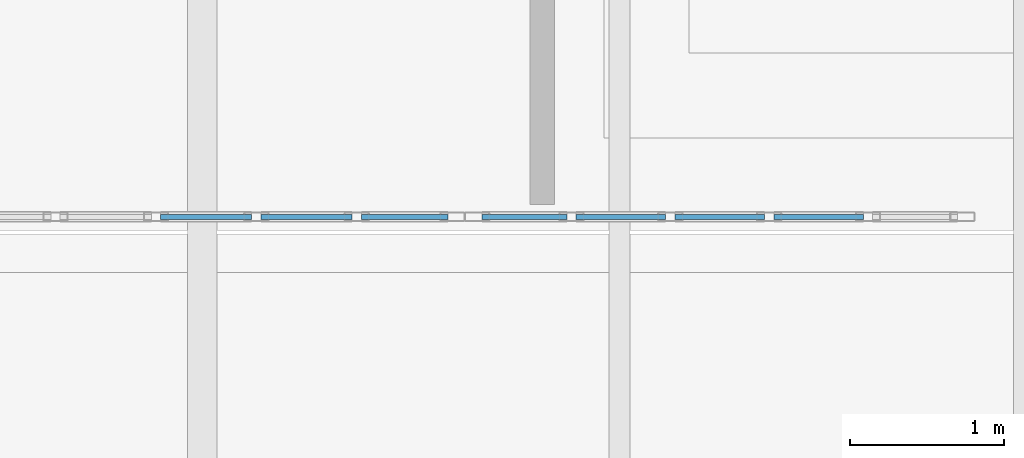
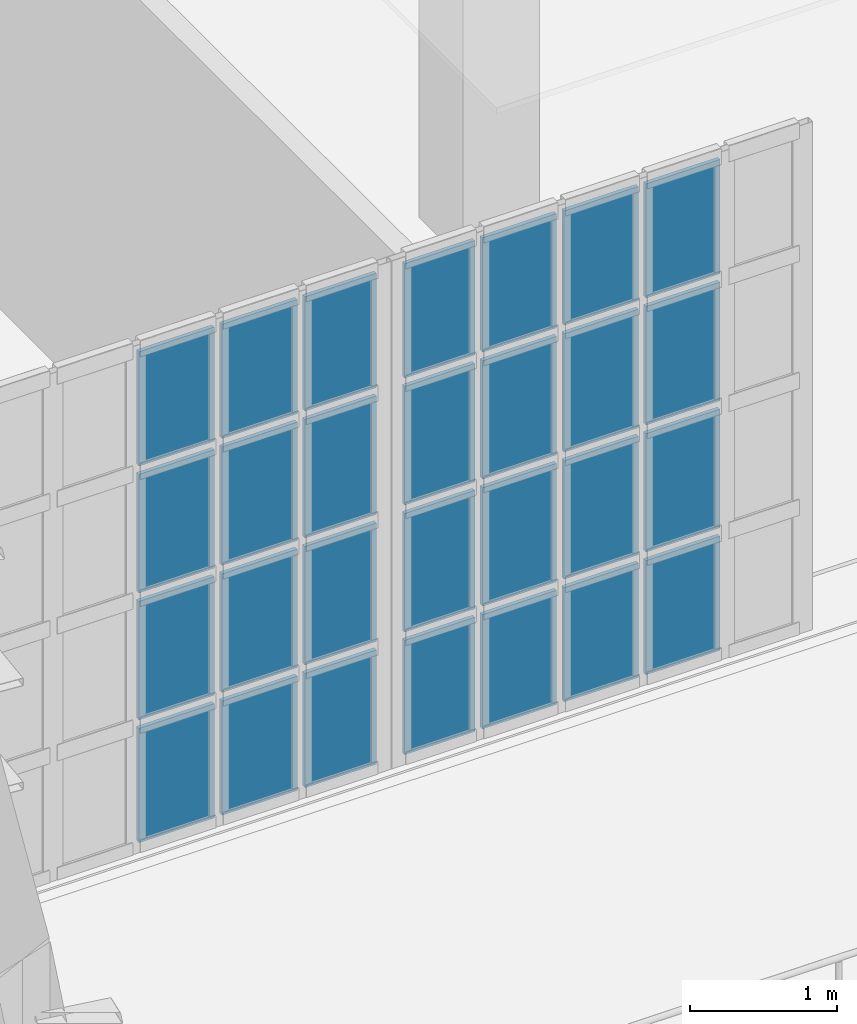
# One storey, part 46 of 73: 28 plates, 2 elements without a shape of their own.
"""IFC4 building model written with IfcOpenShell, lengths in metres."""

from ifc_helpers import new_model, si_unit, direction, frame, origin, origin_2d, place, context, subcontext, project, spatial, rectangle, extrude, material, layer, layer_set, type_object, element, aggregate, save


model = new_model("IFC4")

# Units and contexts
model_context = context("Model", 3, precision=1e-05, world=origin(), true_north=direction((0.0, 1.0)))
body_context = subcontext(model_context, "Body", "Model", "MODEL_VIEW")
ifc_project = project(units=[si_unit("LENGTHUNIT", "METRE"), si_unit("AREAUNIT", "SQUARE_METRE"), si_unit("VOLUMEUNIT", "CUBIC_METRE"), si_unit("PLANEANGLEUNIT", "RADIAN"), si_unit("MASSUNIT", "GRAM", prefix="KILO")], contexts=[model_context])

# Site, building, storey
site_placement = place(None, origin())
site = spatial("IfcSite", under=ifc_project, at=site_placement, CompositionType="ELEMENT")
building_placement = place(site_placement, origin())
building = spatial("IfcBuilding", under=site, at=building_placement, Name="Kaelora Sail Theatre", CompositionType="ELEMENT")
storey_placement = place(building_placement, frame((0.0, 0.0, 10.199951171875)))
storey = spatial("IfcBuildingStorey", under=building, at=storey_placement, Name="L02", CompositionType="ELEMENT", Elevation=10.199951171875)

# Curtain wall, plates
ifc_material_1 = material(Name="Anodised aluminium and solar-control low-E IGU", Category="aluminium")
curtain_wall_type = type_object("IfcCurtainWallType", Name="ARC-CW-CW-BRG", PredefinedType="NOTDEFINED", material=ifc_material_1)
curtain_wall_1_placement = place(storey_placement, origin())
curtain_wall_1 = element("IfcCurtainWall", 1, at=curtain_wall_1_placement, inside=storey, type_object=curtain_wall_type, Name="West Interstitial Sail Foyer Curtain Wall L02-01", PredefinedType="NOTDEFINED")
ifc_material_2 = material(Name="Solar-control laminated low-E glass", Category="glass")
ifc_layer = layer(ifc_material_2, 0.031982421875)
ifc_layer_set = layer_set([ifc_layer], Name="Solar-control laminated low-E glass")
plate_type = type_object("IfcPlateType", Name="ARC-CW-PNL", PredefinedType="CURTAIN_PANEL", material=ifc_layer_set)
plate_1_placement = place(storey_placement, frame((60.925048828125, 48.389892578125, 0.070068359375), z_axis=(0.0, 0.0, 1.0), x_axis=(1.0, 0.0, 0.0)))
plate_1 = element("IfcPlate", 2, at=plate_1_placement, type_object=plate_type, Name="CW-BRG panel 4.1", PredefinedType="CURTAIN_PANEL", context=body_context, shape_type="SweptSolid", body=[
    extrude(rectangle(XDim=0.590087890625, YDim=0.031982421875, at=origin_2d()), origin(), (0.0, 0.0, 1.0), 0.9462890625),
])
plate_2_placement = place(storey_placement, frame((60.925048828125, 48.389892578125, 1.08642578125), z_axis=(0.0, 0.0, 1.0), x_axis=(1.0, 0.0, 0.0)))
plate_2 = element("IfcPlate", 3, at=plate_2_placement, type_object=plate_type, Name="CW-BRG panel 4.2", PredefinedType="CURTAIN_PANEL", context=body_context, shape_type="SweptSolid", body=[
    extrude(rectangle(XDim=0.590087890625, YDim=0.031982421875, at=origin_2d()), origin(), (0.0, 0.0, 1.0), 0.981201171875),
])
plate_3_placement = place(storey_placement, frame((60.925048828125, 48.389892578125, 2.1376953125), z_axis=(0.0, 0.0, 1.0), x_axis=(1.0, 0.0, 0.0)))
plate_3 = element("IfcPlate", 4, at=plate_3_placement, type_object=plate_type, Name="CW-BRG panel 4.3", PredefinedType="CURTAIN_PANEL", context=body_context, shape_type="SweptSolid", body=[
    extrude(rectangle(XDim=0.590087890625, YDim=0.031982421875, at=origin_2d()), origin(), (0.0, 0.0, 1.0), 0.981201171875),
])
plate_4_placement = place(storey_placement, frame((60.925048828125, 48.389892578125, 3.188720703125), z_axis=(0.0, 0.0, 1.0), x_axis=(1.0, 0.0, 0.0)))
plate_4 = element("IfcPlate", 5, at=plate_4_placement, type_object=plate_type, Name="CW-BRG panel 4.4", PredefinedType="CURTAIN_PANEL", context=body_context, shape_type="SweptSolid", body=[
    extrude(rectangle(XDim=0.590087890625, YDim=0.031982421875, at=origin_2d()), origin(), (0.0, 0.0, 1.0), 0.9462890625),
])
plate_5_placement = place(storey_placement, frame((61.574951171875, 48.389892578125, 0.070068359375), z_axis=(0.0, 0.0, 1.0), x_axis=(1.0, 0.0, 0.0)))
plate_5 = element("IfcPlate", 6, at=plate_5_placement, type_object=plate_type, Name="CW-BRG panel 5.1", PredefinedType="CURTAIN_PANEL", context=body_context, shape_type="SweptSolid", body=[
    extrude(rectangle(XDim=0.590087890625, YDim=0.031982421875, at=origin_2d()), origin(), (0.0, 0.0, 1.0), 0.9462890625),
])
plate_6_placement = place(storey_placement, frame((61.574951171875, 48.389892578125, 1.08642578125), z_axis=(0.0, 0.0, 1.0), x_axis=(1.0, 0.0, 0.0)))
plate_6 = element("IfcPlate", 7, at=plate_6_placement, type_object=plate_type, Name="CW-BRG panel 5.2", PredefinedType="CURTAIN_PANEL", context=body_context, shape_type="SweptSolid", body=[
    extrude(rectangle(XDim=0.590087890625, YDim=0.031982421875, at=origin_2d()), origin(), (0.0, 0.0, 1.0), 0.981201171875),
])
plate_7_placement = place(storey_placement, frame((61.574951171875, 48.389892578125, 2.1376953125), z_axis=(0.0, 0.0, 1.0), x_axis=(1.0, 0.0, 0.0)))
plate_7 = element("IfcPlate", 8, at=plate_7_placement, type_object=plate_type, Name="CW-BRG panel 5.3", PredefinedType="CURTAIN_PANEL", context=body_context, shape_type="SweptSolid", body=[
    extrude(rectangle(XDim=0.590087890625, YDim=0.031982421875, at=origin_2d()), origin(), (0.0, 0.0, 1.0), 0.981201171875),
])
plate_8_placement = place(storey_placement, frame((61.574951171875, 48.389892578125, 3.188720703125), z_axis=(0.0, 0.0, 1.0), x_axis=(1.0, 0.0, 0.0)))
plate_8 = element("IfcPlate", 9, at=plate_8_placement, type_object=plate_type, Name="CW-BRG panel 5.4", PredefinedType="CURTAIN_PANEL", context=body_context, shape_type="SweptSolid", body=[
    extrude(rectangle(XDim=0.590087890625, YDim=0.031982421875, at=origin_2d()), origin(), (0.0, 0.0, 1.0), 0.9462890625),
])
plate_9_placement = place(storey_placement, frame((62.2099609375, 48.389892578125, 0.070068359375), z_axis=(0.0, 0.0, 1.0), x_axis=(1.0, 0.0, 0.0)))
plate_9 = element("IfcPlate", 10, at=plate_9_placement, type_object=plate_type, Name="CW-BRG panel 6.1", PredefinedType="CURTAIN_PANEL", context=body_context, shape_type="SweptSolid", body=[
    extrude(rectangle(XDim=0.56005859375, YDim=0.031982421875, at=origin_2d()), origin(), (0.0, 0.0, 1.0), 0.9462890625),
])
plate_10_placement = place(storey_placement, frame((62.2099609375, 48.389892578125, 1.08642578125), z_axis=(0.0, 0.0, 1.0), x_axis=(1.0, 0.0, 0.0)))
plate_10 = element("IfcPlate", 11, at=plate_10_placement, type_object=plate_type, Name="CW-BRG panel 6.2", PredefinedType="CURTAIN_PANEL", context=body_context, shape_type="SweptSolid", body=[
    extrude(rectangle(XDim=0.56005859375, YDim=0.031982421875, at=origin_2d()), origin(), (0.0, 0.0, 1.0), 0.981201171875),
])
plate_11_placement = place(storey_placement, frame((62.2099609375, 48.389892578125, 2.1376953125), z_axis=(0.0, 0.0, 1.0), x_axis=(1.0, 0.0, 0.0)))
plate_11 = element("IfcPlate", 12, at=plate_11_placement, type_object=plate_type, Name="CW-BRG panel 6.3", PredefinedType="CURTAIN_PANEL", context=body_context, shape_type="SweptSolid", body=[
    extrude(rectangle(XDim=0.56005859375, YDim=0.031982421875, at=origin_2d()), origin(), (0.0, 0.0, 1.0), 0.981201171875),
])
plate_12_placement = place(storey_placement, frame((62.2099609375, 48.389892578125, 3.188720703125), z_axis=(0.0, 0.0, 1.0), x_axis=(1.0, 0.0, 0.0)))
plate_12 = element("IfcPlate", 13, at=plate_12_placement, type_object=plate_type, Name="CW-BRG panel 6.4", PredefinedType="CURTAIN_PANEL", context=body_context, shape_type="SweptSolid", body=[
    extrude(rectangle(XDim=0.56005859375, YDim=0.031982421875, at=origin_2d()), origin(), (0.0, 0.0, 1.0), 0.9462890625),
])
aggregate(curtain_wall_1, [plate_1, plate_2, plate_3, plate_4, plate_5, plate_6, plate_7, plate_8, plate_9, plate_10, plate_11, plate_12])

curtain_wall_2_placement = place(storey_placement, origin())
curtain_wall_2 = element("IfcCurtainWall", 14, at=curtain_wall_2_placement, inside=storey, type_object=curtain_wall_type, Name="West Interstitial Sail Foyer Curtain Wall L02-02", PredefinedType="NOTDEFINED")
plate_13_placement = place(storey_placement, frame((62.985107421875, 48.389892578125, 0.070068359375), z_axis=(0.0, 0.0, 1.0), x_axis=(1.0, 0.0, 0.0)))
plate_13 = element("IfcPlate", 15, at=plate_13_placement, type_object=plate_type, Name="CW-BRG panel 1.1", PredefinedType="CURTAIN_PANEL", context=body_context, shape_type="SweptSolid", body=[
    extrude(rectangle(XDim=0.550048828125, YDim=0.031982421875, at=origin_2d()), origin(), (0.0, 0.0, 1.0), 0.9462890625),
])
plate_14_placement = place(storey_placement, frame((62.985107421875, 48.389892578125, 1.08642578125), z_axis=(0.0, 0.0, 1.0), x_axis=(1.0, 0.0, 0.0)))
plate_14 = element("IfcPlate", 16, at=plate_14_placement, type_object=plate_type, Name="CW-BRG panel 1.2", PredefinedType="CURTAIN_PANEL", context=body_context, shape_type="SweptSolid", body=[
    extrude(rectangle(XDim=0.550048828125, YDim=0.031982421875, at=origin_2d()), origin(), (0.0, 0.0, 1.0), 0.981201171875),
])
plate_15_placement = place(storey_placement, frame((62.985107421875, 48.389892578125, 2.1376953125), z_axis=(0.0, 0.0, 1.0), x_axis=(1.0, 0.0, 0.0)))
plate_15 = element("IfcPlate", 17, at=plate_15_placement, type_object=plate_type, Name="CW-BRG panel 1.3", PredefinedType="CURTAIN_PANEL", context=body_context, shape_type="SweptSolid", body=[
    extrude(rectangle(XDim=0.550048828125, YDim=0.031982421875, at=origin_2d()), origin(), (0.0, 0.0, 1.0), 0.981201171875),
])
plate_16_placement = place(storey_placement, frame((62.985107421875, 48.389892578125, 3.188720703125), z_axis=(0.0, 0.0, 1.0), x_axis=(1.0, 0.0, 0.0)))
plate_16 = element("IfcPlate", 18, at=plate_16_placement, type_object=plate_type, Name="CW-BRG panel 1.4", PredefinedType="CURTAIN_PANEL", context=body_context, shape_type="SweptSolid", body=[
    extrude(rectangle(XDim=0.550048828125, YDim=0.031982421875, at=origin_2d()), origin(), (0.0, 0.0, 1.0), 0.9462890625),
])
plate_17_placement = place(storey_placement, frame((63.610107421875, 48.389892578125, 0.070068359375), z_axis=(0.0, 0.0, 1.0), x_axis=(1.0, 0.0, 0.0)))
plate_17 = element("IfcPlate", 19, at=plate_17_placement, type_object=plate_type, Name="CW-BRG panel 2.1", PredefinedType="CURTAIN_PANEL", context=body_context, shape_type="SweptSolid", body=[
    extrude(rectangle(XDim=0.580078125, YDim=0.031982421875, at=origin_2d()), origin(), (0.0, 0.0, 1.0), 0.9462890625),
])
plate_18_placement = place(storey_placement, frame((63.610107421875, 48.389892578125, 1.08642578125), z_axis=(0.0, 0.0, 1.0), x_axis=(1.0, 0.0, 0.0)))
plate_18 = element("IfcPlate", 20, at=plate_18_placement, type_object=plate_type, Name="CW-BRG panel 2.2", PredefinedType="CURTAIN_PANEL", context=body_context, shape_type="SweptSolid", body=[
    extrude(rectangle(XDim=0.580078125, YDim=0.031982421875, at=origin_2d()), origin(), (0.0, 0.0, 1.0), 0.981201171875),
])
plate_19_placement = place(storey_placement, frame((63.610107421875, 48.389892578125, 2.1376953125), z_axis=(0.0, 0.0, 1.0), x_axis=(1.0, 0.0, 0.0)))
plate_19 = element("IfcPlate", 21, at=plate_19_placement, type_object=plate_type, Name="CW-BRG panel 2.3", PredefinedType="CURTAIN_PANEL", context=body_context, shape_type="SweptSolid", body=[
    extrude(rectangle(XDim=0.580078125, YDim=0.031982421875, at=origin_2d()), origin(), (0.0, 0.0, 1.0), 0.981201171875),
])
plate_20_placement = place(storey_placement, frame((63.610107421875, 48.389892578125, 3.188720703125), z_axis=(0.0, 0.0, 1.0), x_axis=(1.0, 0.0, 0.0)))
plate_20 = element("IfcPlate", 22, at=plate_20_placement, type_object=plate_type, Name="CW-BRG panel 2.4", PredefinedType="CURTAIN_PANEL", context=body_context, shape_type="SweptSolid", body=[
    extrude(rectangle(XDim=0.580078125, YDim=0.031982421875, at=origin_2d()), origin(), (0.0, 0.0, 1.0), 0.9462890625),
])
plate_21_placement = place(storey_placement, frame((64.25, 48.389892578125, 0.070068359375), z_axis=(0.0, 0.0, 1.0), x_axis=(1.0, 0.0, 0.0)))
plate_21 = element("IfcPlate", 23, at=plate_21_placement, type_object=plate_type, Name="CW-BRG panel 3.1", PredefinedType="CURTAIN_PANEL", context=body_context, shape_type="SweptSolid", body=[
    extrude(rectangle(XDim=0.580078125, YDim=0.031982421875, at=origin_2d()), origin(), (0.0, 0.0, 1.0), 0.9462890625),
])
plate_22_placement = place(storey_placement, frame((64.25, 48.389892578125, 1.08642578125), z_axis=(0.0, 0.0, 1.0), x_axis=(1.0, 0.0, 0.0)))
plate_22 = element("IfcPlate", 24, at=plate_22_placement, type_object=plate_type, Name="CW-BRG panel 3.2", PredefinedType="CURTAIN_PANEL", context=body_context, shape_type="SweptSolid", body=[
    extrude(rectangle(XDim=0.580078125, YDim=0.031982421875, at=origin_2d()), origin(), (0.0, 0.0, 1.0), 0.981201171875),
])
plate_23_placement = place(storey_placement, frame((64.25, 48.389892578125, 2.1376953125), z_axis=(0.0, 0.0, 1.0), x_axis=(1.0, 0.0, 0.0)))
plate_23 = element("IfcPlate", 25, at=plate_23_placement, type_object=plate_type, Name="CW-BRG panel 3.3", PredefinedType="CURTAIN_PANEL", context=body_context, shape_type="SweptSolid", body=[
    extrude(rectangle(XDim=0.580078125, YDim=0.031982421875, at=origin_2d()), origin(), (0.0, 0.0, 1.0), 0.981201171875),
])
plate_24_placement = place(storey_placement, frame((64.25, 48.389892578125, 3.188720703125), z_axis=(0.0, 0.0, 1.0), x_axis=(1.0, 0.0, 0.0)))
plate_24 = element("IfcPlate", 26, at=plate_24_placement, type_object=plate_type, Name="CW-BRG panel 3.4", PredefinedType="CURTAIN_PANEL", context=body_context, shape_type="SweptSolid", body=[
    extrude(rectangle(XDim=0.580078125, YDim=0.031982421875, at=origin_2d()), origin(), (0.0, 0.0, 1.0), 0.9462890625),
])
plate_25_placement = place(storey_placement, frame((64.889892578125, 48.389892578125, 0.070068359375), z_axis=(0.0, 0.0, 1.0), x_axis=(1.0, 0.0, 0.0)))
plate_25 = element("IfcPlate", 27, at=plate_25_placement, type_object=plate_type, Name="CW-BRG panel 4.1", PredefinedType="CURTAIN_PANEL", context=body_context, shape_type="SweptSolid", body=[
    extrude(rectangle(XDim=0.580078125, YDim=0.031982421875, at=origin_2d()), origin(), (0.0, 0.0, 1.0), 0.9462890625),
])
plate_26_placement = place(storey_placement, frame((64.889892578125, 48.389892578125, 1.08642578125), z_axis=(0.0, 0.0, 1.0), x_axis=(1.0, 0.0, 0.0)))
plate_26 = element("IfcPlate", 28, at=plate_26_placement, type_object=plate_type, Name="CW-BRG panel 4.2", PredefinedType="CURTAIN_PANEL", context=body_context, shape_type="SweptSolid", body=[
    extrude(rectangle(XDim=0.580078125, YDim=0.031982421875, at=origin_2d()), origin(), (0.0, 0.0, 1.0), 0.981201171875),
])
plate_27_placement = place(storey_placement, frame((64.889892578125, 48.389892578125, 2.1376953125), z_axis=(0.0, 0.0, 1.0), x_axis=(1.0, 0.0, 0.0)))
plate_27 = element("IfcPlate", 29, at=plate_27_placement, type_object=plate_type, Name="CW-BRG panel 4.3", PredefinedType="CURTAIN_PANEL", context=body_context, shape_type="SweptSolid", body=[
    extrude(rectangle(XDim=0.580078125, YDim=0.031982421875, at=origin_2d()), origin(), (0.0, 0.0, 1.0), 0.981201171875),
])
plate_28_placement = place(storey_placement, frame((64.889892578125, 48.389892578125, 3.188720703125), z_axis=(0.0, 0.0, 1.0), x_axis=(1.0, 0.0, 0.0)))
plate_28 = element("IfcPlate", 30, at=plate_28_placement, type_object=plate_type, Name="CW-BRG panel 4.4", PredefinedType="CURTAIN_PANEL", context=body_context, shape_type="SweptSolid", body=[
    extrude(rectangle(XDim=0.580078125, YDim=0.031982421875, at=origin_2d()), origin(), (0.0, 0.0, 1.0), 0.9462890625),
])
aggregate(curtain_wall_2, [plate_13, plate_14, plate_15, plate_16, plate_17, plate_18, plate_19, plate_20, plate_21, plate_22, plate_23, plate_24, plate_25, plate_26, plate_27, plate_28])

save(model, "model.ifc")
